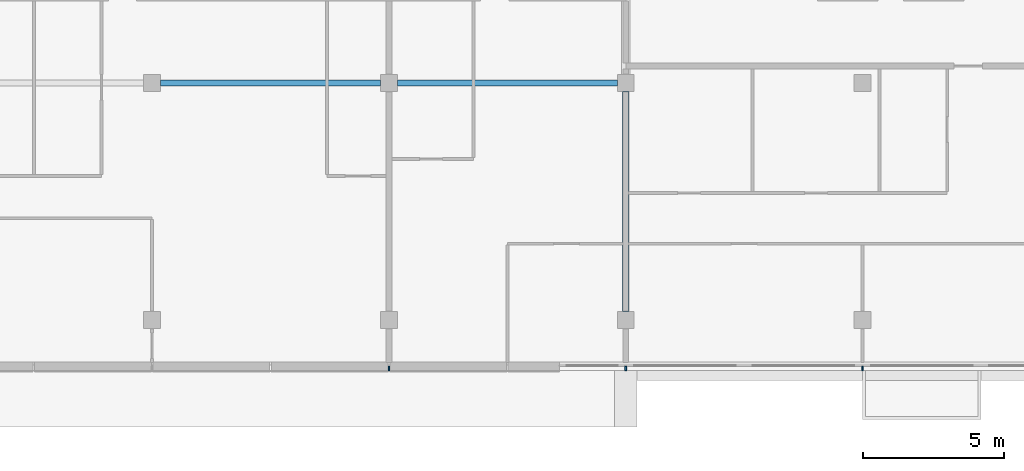
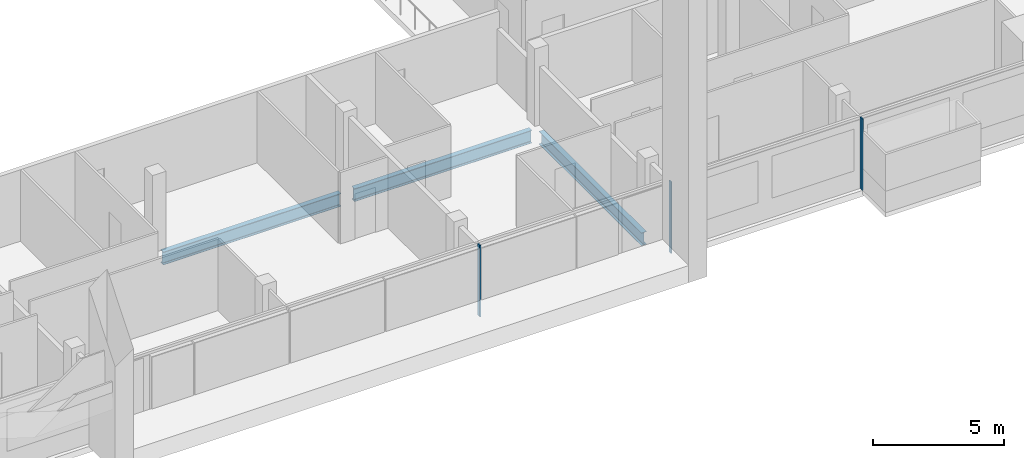
# One storey, part 9 of 31: 3 beams, 3 members, 1 element without a shape of its own.
"""IFC4 building model written with IfcOpenShell, lengths in metres."""

from ifc_helpers import new_model, si_unit, direction, frame, origin, origin_2d, place, context, subcontext, project, spatial, rectangle, i_section, extrude, material, material_profile, profile_set, type_object, element, aggregate, save


model = new_model("IFC4")

# Units and contexts
model_context = context("Model", 3, precision=1e-05, world=origin(), true_north=direction((0.0, 1.0)))
body_context = subcontext(model_context, "Body", "Model", "MODEL_VIEW")
ifc_project = project(units=[si_unit("LENGTHUNIT", "METRE"), si_unit("AREAUNIT", "SQUARE_METRE"), si_unit("VOLUMEUNIT", "CUBIC_METRE"), si_unit("PLANEANGLEUNIT", "RADIAN"), si_unit("MASSUNIT", "GRAM", prefix="KILO")], contexts=[model_context])

# Site, building, storey
site_placement = place(None, origin())
site = spatial("IfcSite", under=ifc_project, at=site_placement, CompositionType="ELEMENT")
building_placement = place(site_placement, origin())
building = spatial("IfcBuilding", under=site, at=building_placement, Name="Saffron Gate Tower", CompositionType="ELEMENT")
storey_placement = place(building_placement, frame((0.0, 0.0, 205.5)))
storey = spatial("IfcBuildingStorey", under=building, at=storey_placement, Name="L49", CompositionType="ELEMENT", Elevation=205.5)

# Beams
ifc_material_1 = material(Name="Structural steel S355", Category="steel")
ifc_material_profile_1 = material_profile(ifc_material_1, i_section(OverallWidth=0.219970703125, OverallDepth=0.60009765625, WebThickness=0.011962890625, FlangeThickness=0.01904296875, FilletRadius=0.02392578125, at=origin_2d()))
ifc_profile_set_1 = profile_set([ifc_material_profile_1], Name="Structural steel S355")
beam_type = type_object("IfcBeamType", Name="B15 IPE 600", PredefinedType="BEAM", material=ifc_profile_set_1)
beam_1_placement = place(storey_placement, frame((100.199951171875, 32.10009765625, -0.580078125), z_axis=(0.0, 1.0, 0.0), x_axis=(-1.0, 0.0, 0.0)))
element("IfcBeam", 1, at=beam_1_placement, inside=storey, type_object=beam_type, Name="B15 FLOOR GIRDER", PredefinedType="BEAM", context=body_context, shape_type="SweptSolid", body=[
    extrude(i_section(OverallWidth=0.219970703125, OverallDepth=0.60009765625, WebThickness=0.011962890625, FlangeThickness=0.01904296875, FilletRadius=0.02392578125, at=origin_2d()), origin(), (0.0, 0.0, 1.0), 7.7998046875),
])
beam_2_placement = place(storey_placement, frame((83.699951171875, 40.199951171875, -0.580078125), z_axis=(1.0, 0.0, 0.0), x_axis=(0.0, 1.0, 0.0)))
element("IfcBeam", 2, at=beam_2_placement, inside=storey, type_object=beam_type, Name="B15 FLOOR GIRDER", PredefinedType="BEAM", context=body_context, shape_type="SweptSolid", body=[
    extrude(i_section(OverallWidth=0.219970703125, OverallDepth=0.60009765625, WebThickness=0.011962890625, FlangeThickness=0.01904296875, FilletRadius=0.02392578125, at=origin_2d()), origin(), (0.0, 0.0, 1.0), 7.800048828125),
])
beam_3_placement = place(storey_placement, frame((92.10009765625, 40.199951171875, -0.580078125), z_axis=(1.0, 0.0, 0.0), x_axis=(0.0, 1.0, 0.0)))
element("IfcBeam", 3, at=beam_3_placement, inside=storey, type_object=beam_type, Name="B15 FLOOR GIRDER", PredefinedType="BEAM", context=body_context, shape_type="SweptSolid", body=[
    extrude(i_section(OverallWidth=0.219970703125, OverallDepth=0.60009765625, WebThickness=0.011962890625, FlangeThickness=0.01904296875, FilletRadius=0.02392578125, at=origin_2d()), origin(), (0.0, 0.0, 1.0), 7.7998046875),
])

# Curtain wall, members
ifc_material_2 = material(Name="Aluminium, bronze anodised", Category="aluminium")
curtain_wall_type = type_object("IfcCurtainWallType", Name="CWS1 curtain wall front facade", PredefinedType="NOTDEFINED", material=ifc_material_2)
curtain_wall_placement = place(storey_placement, origin())
curtain_wall = element("IfcCurtainWall", 4, at=curtain_wall_placement, inside=storey, type_object=curtain_wall_type, Name="CWS1 run 1", PredefinedType="NOTDEFINED")
ifc_material_profile_2 = material_profile(ifc_material_2, rectangle(XDim=0.159912109375, YDim=0.06005859375, at=origin_2d()))
ifc_profile_set_2 = profile_set([ifc_material_profile_2], Name="Aluminium, bronze anodised")
member_type = type_object("IfcMemberType", Name="CWS1 mullion 60x160", PredefinedType="MULLION", material=ifc_profile_set_2)
member_1_placement = place(storey_placement, frame((91.800048828125, 30.080078125, 0.0), z_axis=(0.0, 0.0, 1.0), x_axis=(0.0, 1.0, 0.0)))
member_1 = element("IfcMember", 5, at=member_1_placement, type_object=member_type, Name="CWS1 mullion 6", PredefinedType="MULLION", context=body_context, shape_type="SweptSolid", body=[
    extrude(rectangle(XDim=0.159912109375, YDim=0.06005859375, at=origin_2d()), origin(), (0.0, 0.0, 1.0), 3.320068359375),
])
member_2_placement = place(storey_placement, frame((100.199951171875, 30.080078125, 0.0), z_axis=(0.0, 0.0, 1.0), x_axis=(0.0, 1.0, 0.0)))
member_2 = element("IfcMember", 6, at=member_2_placement, type_object=member_type, Name="CWS1 mullion 7", PredefinedType="MULLION", context=body_context, shape_type="SweptSolid", body=[
    extrude(rectangle(XDim=0.159912109375, YDim=0.06005859375, at=origin_2d()), origin(), (0.0, 0.0, 1.0), 3.320068359375),
])
member_3_placement = place(storey_placement, frame((108.60009765625, 30.080078125, 0.0), z_axis=(0.0, 0.0, 1.0), x_axis=(0.0, 1.0, 0.0)))
member_3 = element("IfcMember", 7, at=member_3_placement, type_object=member_type, Name="CWS1 mullion 8", PredefinedType="MULLION", context=body_context, shape_type="SweptSolid", body=[
    extrude(rectangle(XDim=0.159912109375, YDim=0.06005859375, at=origin_2d()), origin(), (0.0, 0.0, 1.0), 3.320068359375),
])
aggregate(curtain_wall, [member_1, member_2, member_3])

save(model, "model.ifc")
